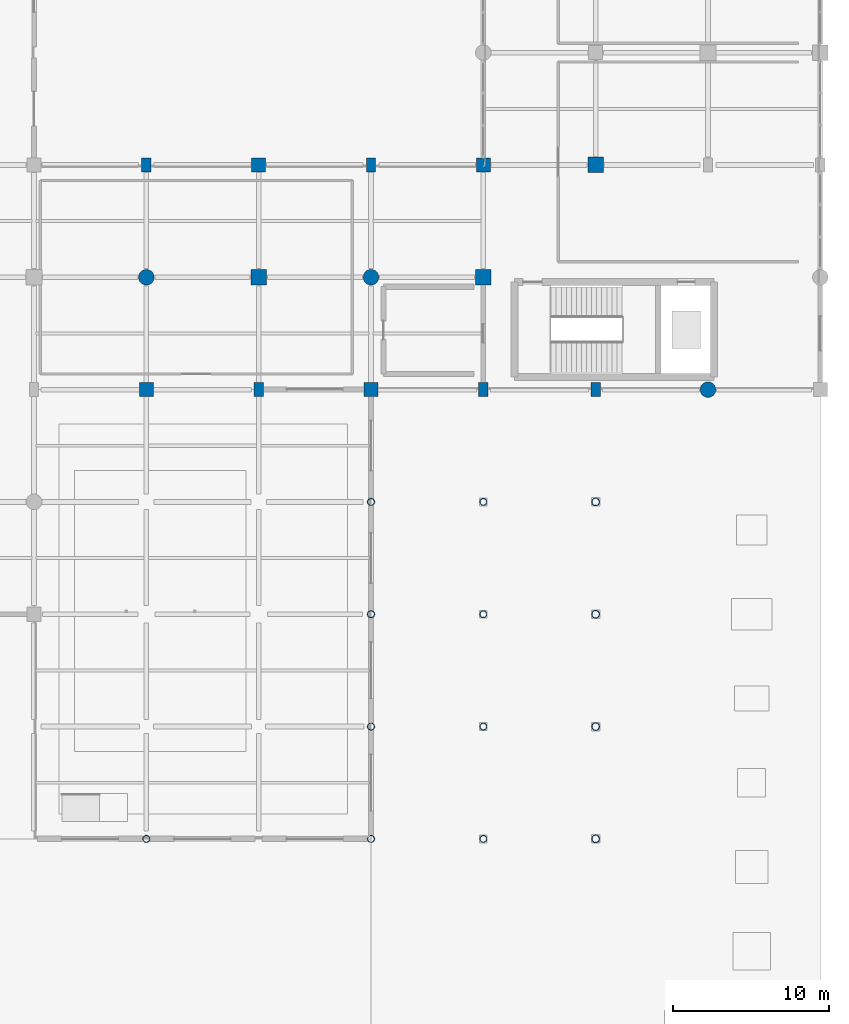
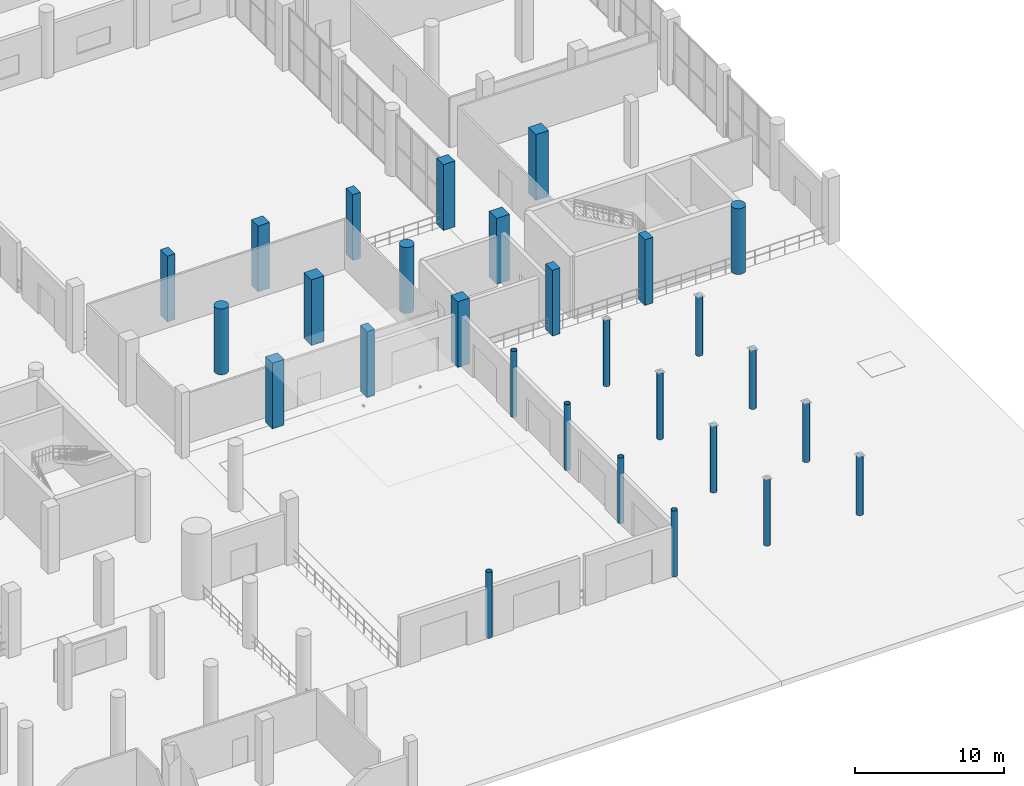
# One storey, part 4 of 58: 28 columns.
"""IFC4 building model written with IfcOpenShell, lengths in metres."""

from ifc_helpers import new_model, si_unit, direction, frame, origin, origin_2d, place, context, subcontext, project, spatial, rectangle, circle, hollow_circle, extrude, material, material_profile, profile_set, type_object, element, save


model = new_model("IFC4")

# Units and contexts
model_context = context("Model", 3, precision=1e-05, world=origin(), true_north=direction((0.0, 1.0)))
body_context = subcontext(model_context, "Body", "Model", "MODEL_VIEW")
ifc_project = project(units=[si_unit("LENGTHUNIT", "METRE"), si_unit("AREAUNIT", "SQUARE_METRE"), si_unit("VOLUMEUNIT", "CUBIC_METRE"), si_unit("PLANEANGLEUNIT", "RADIAN"), si_unit("MASSUNIT", "GRAM", prefix="KILO")], contexts=[model_context])

# Site, building, storey
site_placement = place(None, origin())
site = spatial("IfcSite", under=ifc_project, at=site_placement, CompositionType="ELEMENT")
building_placement = place(site_placement, origin())
building = spatial("IfcBuilding", under=site, at=building_placement, Name="Qandorah Velis Arena", CompositionType="ELEMENT")
storey_placement = place(building_placement, origin())
storey = spatial("IfcBuildingStorey", under=building, at=storey_placement, Name="L00", CompositionType="ELEMENT", Elevation=0.0)

# Columns
ifc_material_1 = material(Name="Steel S355", Category="steel")
ifc_material_profile_1 = material_profile(ifc_material_1, hollow_circle(Radius=0.228515625, WallThickness=0.02001953125, at=origin_2d()), Name="CHS 457x20")
ifc_profile_set_1 = profile_set([ifc_material_profile_1], Name="Steel S355")
column_type_1 = type_object("IfcColumnType", Name="STR-COL-CHS457", PredefinedType="COLUMN", material=ifc_profile_set_1)
for number, where, z_axis, x_axis, name in (
    (1, (129.60009765625, 14.39990234375, 0.0), (0.0, 0.0, 1.0), (1.0, 0.0, 0.0), "Canopy mid-span column L00-220"),
    (2, (144.0, 14.39990234375, 0.0), (0.0, 0.0, 1.0), (1.0, 0.0, 0.0), "Canopy mid-span column L00-233"),
    (3, (144.0, 21.60009765625, 0.0), (0.0, 0.0, 1.0), (1.0, 0.0, 0.0), "Canopy mid-span column L00-234"),
    (4, (144.0, 28.800048828125, 0.0), (0.0, 0.0, 1.0), (1.0, 0.0, 0.0), "Canopy mid-span column L00-235"),
    (5, (144.0, 36.0, 0.0), (0.0, 0.0, 1.0), (1.0, 0.0, 0.0), "Canopy mid-span column L00-236"),
):
    element("IfcColumn", number, at=place(storey_placement, frame(where, z_axis=z_axis, x_axis=x_axis)), inside=storey, type_object=column_type_1, Name=name, PredefinedType="COLUMN", context=body_context, shape_type="SweptSolid", body=[
        extrude(hollow_circle(Radius=0.228515625, WallThickness=0.02001953125, at=origin_2d()), origin(), (0.0, 0.0, 1.0), 5.39990234375),
    ])
for number, where, z_axis, x_axis, name in (
    (6, (151.199951171875, 14.39990234375, 0.0), (0.0, 0.0, 1.0), (1.0, 0.0, 0.0), "Canopy mid-span column L00-243"),
    (7, (151.199951171875, 21.60009765625, 0.0), (0.0, 0.0, 1.0), (1.0, 0.0, 0.0), "Canopy mid-span column L00-244"),
    (8, (151.199951171875, 28.800048828125, 0.0), (0.0, 0.0, 1.0), (1.0, 0.0, 0.0), "Canopy mid-span column L00-245"),
    (9, (151.199951171875, 36.0, 0.0), (0.0, 0.0, 1.0), (1.0, 0.0, 0.0), "Canopy mid-span column L00-246"),
):
    element("IfcColumn", number, at=place(storey_placement, frame(where, z_axis=z_axis, x_axis=x_axis)), inside=storey, type_object=column_type_1, Name=name, PredefinedType="COLUMN", context=body_context, shape_type="SweptSolid", body=[
        extrude(hollow_circle(Radius=0.228515625, WallThickness=0.02001953125, at=origin_2d()), origin(), (0.0, 0.0, 1.0), 5.449462890625),
    ])
ifc_material_profile_2 = material_profile(ifc_material_1, hollow_circle(Radius=0.25390625, WallThickness=0.02490234375, at=origin_2d()), Name="CHS 508x25")
ifc_profile_set_2 = profile_set([ifc_material_profile_2], Name="Steel S355")
column_type_2 = type_object("IfcColumnType", Name="STR-COL-CHS508", PredefinedType="COLUMN", material=ifc_profile_set_2)
for number, where, z_axis, x_axis, name in (
    (10, (158.39990234375, 14.39990234375, 0.0), (0.0, 0.0, 1.0), (1.0, 0.0, 0.0), "Canopy plaza column VC2"),
    (11, (158.39990234375, 21.60009765625, 0.0), (0.0, 0.0, 1.0), (1.0, 0.0, 0.0), "Canopy plaza column VC3"),
    (12, (158.39990234375, 28.800048828125, 0.0), (0.0, 0.0, 1.0), (1.0, 0.0, 0.0), "Canopy plaza column VC4"),
    (13, (158.39990234375, 36.0, 0.0), (0.0, 0.0, 1.0), (1.0, 0.0, 0.0), "Canopy plaza column VC5"),
):
    element("IfcColumn", number, at=place(storey_placement, frame(where, z_axis=z_axis, x_axis=x_axis)), inside=storey, type_object=column_type_2, Name=name, PredefinedType="COLUMN", context=body_context, shape_type="SweptSolid", body=[
        extrude(hollow_circle(Radius=0.25390625, WallThickness=0.02490234375, at=origin_2d()), origin(), (0.0, 0.0, 1.0), 4.820068359375),
    ])
ifc_material_2 = material(Name="Concrete C40/50", Category="concrete")
ifc_material_profile_3 = material_profile(ifc_material_2, rectangle(XDim=1.0, YDim=1.0, at=origin_2d()), Name="RC COL 1000x1000")
ifc_profile_set_3 = profile_set([ifc_material_profile_3], Name="Concrete C40/50")
column_type_3 = type_object("IfcColumnType", Name="STR-COL-RC1000", PredefinedType="COLUMN", material=ifc_profile_set_3)
for number, where, z_axis, x_axis, name in (
    (14, (136.800048828125, 50.39990234375, 0.0), (0.0, 0.0, 1.0), (1.0, 0.0, 0.0), "Structural column L00-228"),
    (15, (151.199951171875, 50.39990234375, 0.0), (0.0, 0.0, 1.0), (1.0, 0.0, 0.0), "Structural column L00-248"),
    (16, (158.39990234375, 57.60009765625, 0.0), (0.0, 0.0, 1.0), (1.0, 0.0, 0.0), "Structural column L00-256"),
):
    element("IfcColumn", number, at=place(storey_placement, frame(where, z_axis=z_axis, x_axis=x_axis)), inside=storey, type_object=column_type_3, Name=name, PredefinedType="COLUMN", context=body_context, shape_type="SweptSolid", body=[
        extrude(rectangle(XDim=1.0, YDim=1.0, at=origin_2d()), origin(), (0.0, 0.0, 1.0), 5.39990234375),
    ])
ifc_material_profile_4 = material_profile(ifc_material_2, rectangle(XDim=0.60009765625, YDim=0.89990234375, at=origin_2d()), Name="RC COL 600x900")
ifc_profile_set_4 = profile_set([ifc_material_profile_4], Name="Concrete C40/50")
column_type_4 = type_object("IfcColumnType", Name="STR-COL-RC600X900", PredefinedType="COLUMN", material=ifc_profile_set_4)
for number, where, z_axis, x_axis, name in (
    (17, (129.60009765625, 57.60009765625, 0.0), (0.0, 0.0, 1.0), (1.0, 0.0, 0.0), "Structural column L00-223"),
    (18, (136.800048828125, 43.199951171875, 0.0), (0.0, 0.0, 1.0), (1.0, 0.0, 0.0), "Structural column L00-227"),
    (19, (144.0, 57.60009765625, 0.0), (0.0, 0.0, 1.0), (1.0, 0.0, 0.0), "Structural column L00-239"),
    (20, (151.199951171875, 43.199951171875, 0.0), (0.0, 0.0, 1.0), (1.0, 0.0, 0.0), "Structural column L00-247"),
    (21, (158.39990234375, 43.199951171875, 0.0), (0.0, 0.0, 1.0), (1.0, 0.0, 0.0), "Structural column L00-255"),
):
    element("IfcColumn", number, at=place(storey_placement, frame(where, z_axis=z_axis, x_axis=x_axis)), inside=storey, type_object=column_type_4, Name=name, PredefinedType="COLUMN", context=body_context, shape_type="SweptSolid", body=[
        extrude(rectangle(XDim=0.60009765625, YDim=0.89990234375, at=origin_2d()), origin(), (0.0, 0.0, 1.0), 5.39990234375),
    ])
ifc_material_profile_5 = material_profile(ifc_material_2, rectangle(XDim=0.89990234375, YDim=0.89990234375, at=origin_2d()), Name="RC COL 900x900")
ifc_profile_set_5 = profile_set([ifc_material_profile_5], Name="Concrete C40/50")
column_type_5 = type_object("IfcColumnType", Name="STR-COL-RC900", PredefinedType="COLUMN", material=ifc_profile_set_5)
for number, where, z_axis, x_axis, name in (
    (22, (129.60009765625, 43.199951171875, 0.0), (0.0, 0.0, 1.0), (1.0, 0.0, 0.0), "Structural column L00-221"),
    (23, (136.800048828125, 57.60009765625, 0.0), (0.0, 0.0, 1.0), (1.0, 0.0, 0.0), "Structural column L00-229"),
    (24, (144.0, 43.199951171875, 0.0), (0.0, 0.0, 1.0), (1.0, 0.0, 0.0), "Structural column L00-237"),
    (25, (151.199951171875, 57.60009765625, 0.0), (0.0, 0.0, 1.0), (1.0, 0.0, 0.0), "Structural column L00-249"),
):
    element("IfcColumn", number, at=place(storey_placement, frame(where, z_axis=z_axis, x_axis=x_axis)), inside=storey, type_object=column_type_5, Name=name, PredefinedType="COLUMN", context=body_context, shape_type="SweptSolid", body=[
        extrude(rectangle(XDim=0.89990234375, YDim=0.89990234375, at=origin_2d()), origin(), (0.0, 0.0, 1.0), 5.39990234375),
    ])
ifc_material_profile_6 = material_profile(ifc_material_2, circle(Radius=0.5, at=origin_2d()), Name="RC D1000")
ifc_profile_set_6 = profile_set([ifc_material_profile_6], Name="Concrete C40/50")
column_type_6 = type_object("IfcColumnType", Name="STR-COL-RCD1000", PredefinedType="COLUMN", material=ifc_profile_set_6)
for number, where, z_axis, x_axis, name in (
    (26, (129.60009765625, 50.39990234375, 0.0), (0.0, 0.0, 1.0), (1.0, 0.0, 0.0), "Structural column L00-222"),
    (27, (144.0, 50.39990234375, 0.0), (0.0, 0.0, 1.0), (1.0, 0.0, 0.0), "Structural column L00-238"),
    (28, (165.60009765625, 43.199951171875, 0.0), (0.0, 0.0, 1.0), (1.0, 0.0, 0.0), "Structural column L00-262"),
):
    element("IfcColumn", number, at=place(storey_placement, frame(where, z_axis=z_axis, x_axis=x_axis)), inside=storey, type_object=column_type_6, Name=name, PredefinedType="COLUMN", context=body_context, shape_type="SweptSolid", body=[
        extrude(circle(Radius=0.5, at=origin_2d()), origin(), (0.0, 0.0, 1.0), 5.39990234375),
    ])

save(model, "model.ifc")
